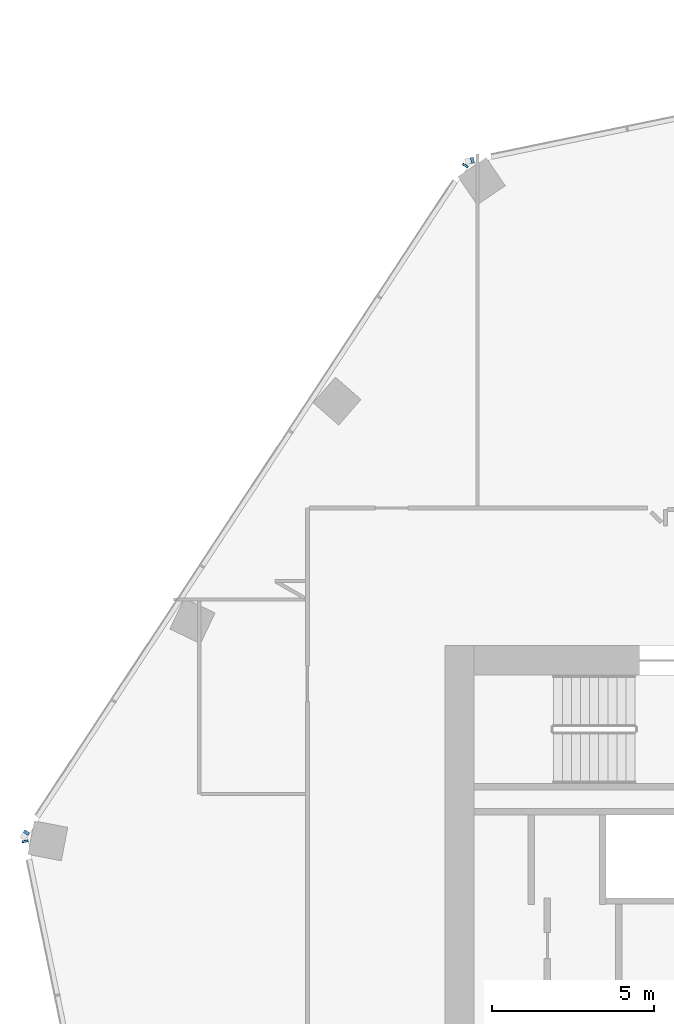
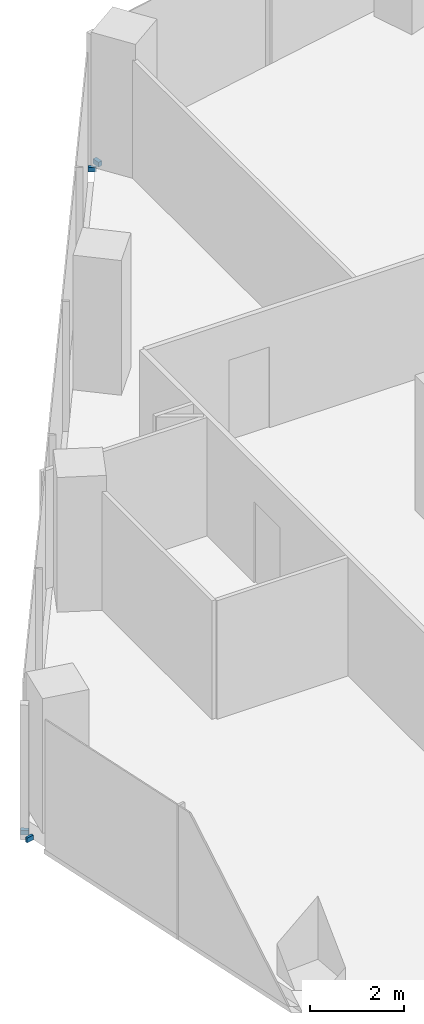
# One storey, part 14 of 24: 4 members, 3 elements without a shape of their own.
"""IFC4 building model written with IfcOpenShell, lengths in metres."""

from ifc_helpers import new_model, si_unit, direction, frame, origin, origin_2d, place, context, subcontext, project, spatial, rectangle, extrude, material, material_profile, profile_set, type_object, element, aggregate, save


model = new_model("IFC4")

# Units and contexts
model_context = context("Model", 3, precision=1e-05, world=origin(), true_north=direction((0.0, 1.0)))
body_context = subcontext(model_context, "Body", "Model", "MODEL_VIEW")
ifc_project = project(units=[si_unit("LENGTHUNIT", "METRE"), si_unit("AREAUNIT", "SQUARE_METRE"), si_unit("VOLUMEUNIT", "CUBIC_METRE"), si_unit("PLANEANGLEUNIT", "RADIAN"), si_unit("MASSUNIT", "GRAM", prefix="KILO")], contexts=[model_context])

# Site, building, storey
site_placement = place(None, origin())
site = spatial("IfcSite", under=ifc_project, at=site_placement, CompositionType="ELEMENT")
building_placement = place(site_placement, origin())
building = spatial("IfcBuilding", under=site, at=building_placement, Name="Orlundy Tower", CompositionType="ELEMENT")
storey_placement = place(building_placement, frame((0.0, 0.0, 235.5)))
storey = spatial("IfcBuildingStorey", under=building, at=storey_placement, Name="L62", CompositionType="ELEMENT", Elevation=235.5)

# Curtain wall, member
ifc_material_1 = material(Name="Aluminium bronze anodised", Category="aluminium")
curtain_wall_type = type_object("IfcCurtainWallType", Name="CW1 wall", PredefinedType="NOTDEFINED", material=ifc_material_1)
curtain_wall_1_placement = place(storey_placement, origin())
curtain_wall_1 = element("IfcCurtainWall", 1, at=curtain_wall_1_placement, inside=storey, type_object=curtain_wall_type, Name="CW1 run 014", PredefinedType="NOTDEFINED")
ifc_material_2 = material(Name="Aluminium bronze anodised", Category="aluminium")
ifc_material_profile = material_profile(ifc_material_2, rectangle(XDim=0.179931640625, YDim=0.1201171875, at=origin_2d()), Name="CW1 transom 180x120")
ifc_profile_set = profile_set([ifc_material_profile], Name="Aluminium bronze anodised")
member_type = type_object("IfcMemberType", Name="CW1 transom 180x120", PredefinedType="USERDEFINED", material=ifc_profile_set)
member_1_placement = place(storey_placement, frame((-31.95068359375, 5.93701171875, -0.340087890625), z_axis=(-0.200746559424, 0.97964320999, 0.0), x_axis=(-0.97964320999, -0.200746559424, 0.0)))
member_1 = element("IfcMember", 2, at=member_1_placement, type_object=member_type, Name="CW1 transom", ObjectType="TRANSOM", PredefinedType="USERDEFINED", context=body_context, shape_type="SweptSolid", body=[
    extrude(rectangle(XDim=0.179931640625, YDim=0.1201171875, at=origin_2d()), origin(), (0.0, 0.0, 1.0), 0.060791015625),
])
aggregate(curtain_wall_1, [member_1])

# Curtain wall, members
curtain_wall_2_placement = place(storey_placement, origin())
curtain_wall_2 = element("IfcCurtainWall", 3, at=curtain_wall_2_placement, inside=storey, type_object=curtain_wall_type, Name="CW1 run 015", PredefinedType="NOTDEFINED")
member_2_placement = place(storey_placement, frame((-31.939208984375, 6.196533203125, -0.340087890625), z_axis=(0.550668630436, 0.834723942063, 0.0), x_axis=(-0.834723942063, 0.550668630436, 0.0)))
member_2 = element("IfcMember", 4, at=member_2_placement, type_object=member_type, Name="CW1 transom", ObjectType="TRANSOM", PredefinedType="USERDEFINED", context=body_context, shape_type="SweptSolid", body=[
    extrude(rectangle(XDim=0.179931640625, YDim=0.1201171875, at=origin_2d()), origin(), (0.0, 0.0, 1.0), 0.097900390625),
])
member_3_placement = place(storey_placement, frame((-18.393798828125, 26.791015625, -0.340087890625), z_axis=(0.550955079868, 0.834534900389, 0.0), x_axis=(-0.834534900389, 0.550955079868, 0.0)))
member_3 = element("IfcMember", 5, at=member_3_placement, type_object=member_type, Name="CW1 transom", ObjectType="TRANSOM", PredefinedType="USERDEFINED", context=body_context, shape_type="SweptSolid", body=[
    extrude(rectangle(XDim=0.179931640625, YDim=0.1201171875, at=origin_2d()), origin(), (0.0, 0.0, 1.0), 0.060302734375),
])
aggregate(curtain_wall_2, [member_2, member_3])

# Curtain wall, member
curtain_wall_3_placement = place(storey_placement, origin())
curtain_wall_3 = element("IfcCurtainWall", 6, at=curtain_wall_3_placement, inside=storey, type_object=curtain_wall_type, Name="CW1 run 016", PredefinedType="NOTDEFINED")
member_4_placement = place(storey_placement, frame((-18.20263671875, 26.9658203125, -0.340087890625), z_axis=(0.979208986995, 0.202854035669, 0.0), x_axis=(-0.202854035669, 0.979208986995, 0.0)))
member_4 = element("IfcMember", 7, at=member_4_placement, type_object=member_type, Name="CW1 transom", ObjectType="TRANSOM", PredefinedType="USERDEFINED", context=body_context, shape_type="SweptSolid", body=[
    extrude(rectangle(XDim=0.179931640625, YDim=0.1201171875, at=origin_2d()), origin(), (0.0, 0.0, 1.0), 0.097412109375),
])
aggregate(curtain_wall_3, [member_4])

save(model, "model.ifc")
